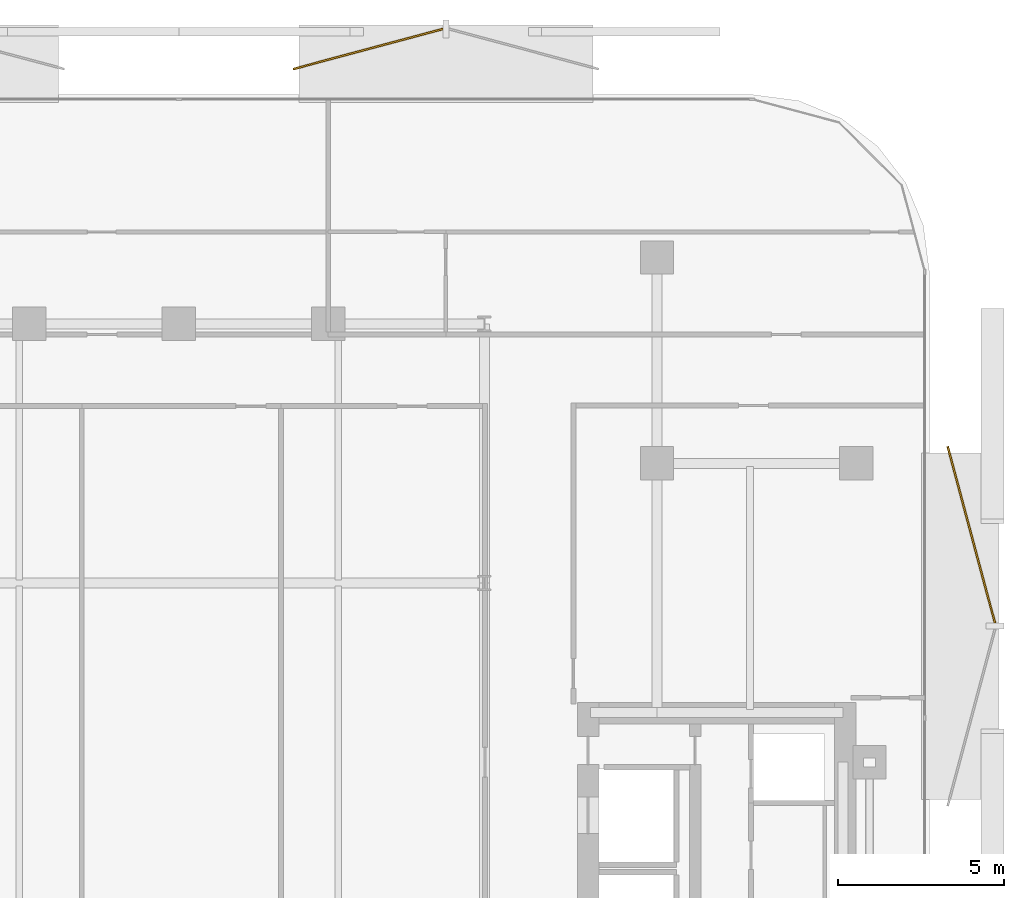
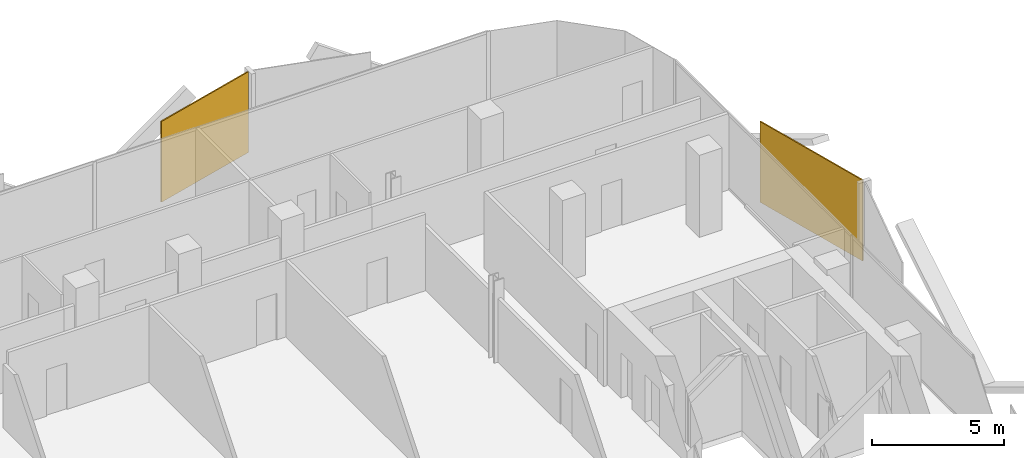
# One storey, part 16 of 16: 2 coverings.
"""IFC4 building model written with IfcOpenShell, lengths in metres."""

from ifc_helpers import new_model, si_unit, direction, frame, origin, origin_2d, place, context, subcontext, project, spatial, rectangle, extrude, material, layer, layer_set, type_object, element, save


model = new_model("IFC4")

# Units and contexts
model_context = context("Model", 3, precision=1e-05, world=origin(), true_north=direction((0.0, 1.0)))
body_context = subcontext(model_context, "Body", "Model", "MODEL_VIEW")
ifc_project = project(units=[si_unit("LENGTHUNIT", "METRE"), si_unit("AREAUNIT", "SQUARE_METRE"), si_unit("VOLUMEUNIT", "CUBIC_METRE"), si_unit("PLANEANGLEUNIT", "RADIAN"), si_unit("MASSUNIT", "GRAM", prefix="KILO")], contexts=[model_context])

# Site, building, storey
site_placement = place(None, origin())
site = spatial("IfcSite", under=ifc_project, at=site_placement, CompositionType="ELEMENT")
building_placement = place(site_placement, origin())
building = spatial("IfcBuilding", under=site, at=building_placement, Name="Khairoan Windgate Tower", CompositionType="ELEMENT")
storey_placement = place(building_placement, frame((0.0, 0.0, 184.0)))
storey = spatial("IfcBuildingStorey", under=building, at=storey_placement, Name="L42", CompositionType="ELEMENT", Elevation=184.0)

# Coverings
ifc_material = material(Name="Anodised Bronze Aluminium 6063-T6", Category="aluminium")
ifc_layer = layer(ifc_material, 0.054931640625, Name="Anodised Bronze Aluminium 6063-T6")
ifc_layer_set = layer_set([ifc_layer], Name="Anodised Bronze Aluminium 6063-T6")
covering_type = type_object("IfcCoveringType", Name="Perforated Bronze-Ceramic Folded Solar Screen Cladding BSC-1", PredefinedType="CLADDING", material=ifc_layer_set)
covering_1_placement = place(storey_placement, frame((5.701904296875, 26.876220703125, -0.10009765625), z_axis=(0.0, 0.0, 1.0), x_axis=(0.965925826289, 0.258819045103, 0.0)))
element("IfcCovering", 1, at=covering_1_placement, inside=storey, type_object=covering_type, Name="L42 Folded Bronze Solar Screen Facet 278L", PredefinedType="CLADDING", context=body_context, shape_type="SweptSolid", body=[
    extrude(rectangle(XDim=4.666015625, YDim=0.054931640625, at=origin_2d()), origin(), (0.0, 0.0, 1.0), 3.739990234375),
])
covering_2_placement = place(storey_placement, frame((23.8671875, 12.2451171875, -0.10009765625), z_axis=(0.0, 0.0, 1.0), x_axis=(0.258819045103, -0.965925826289, 0.0)))
element("IfcCovering", 2, at=covering_2_placement, inside=storey, type_object=covering_type, Name="L42 Folded Bronze Solar Screen Facet 279L", PredefinedType="CLADDING", context=body_context, shape_type="SweptSolid", body=[
    extrude(rectangle(XDim=5.507080078125, YDim=0.054931640625, at=origin_2d()), origin(), (0.0, 0.0, 1.0), 3.739990234375),
])

save(model, "model.ifc")
